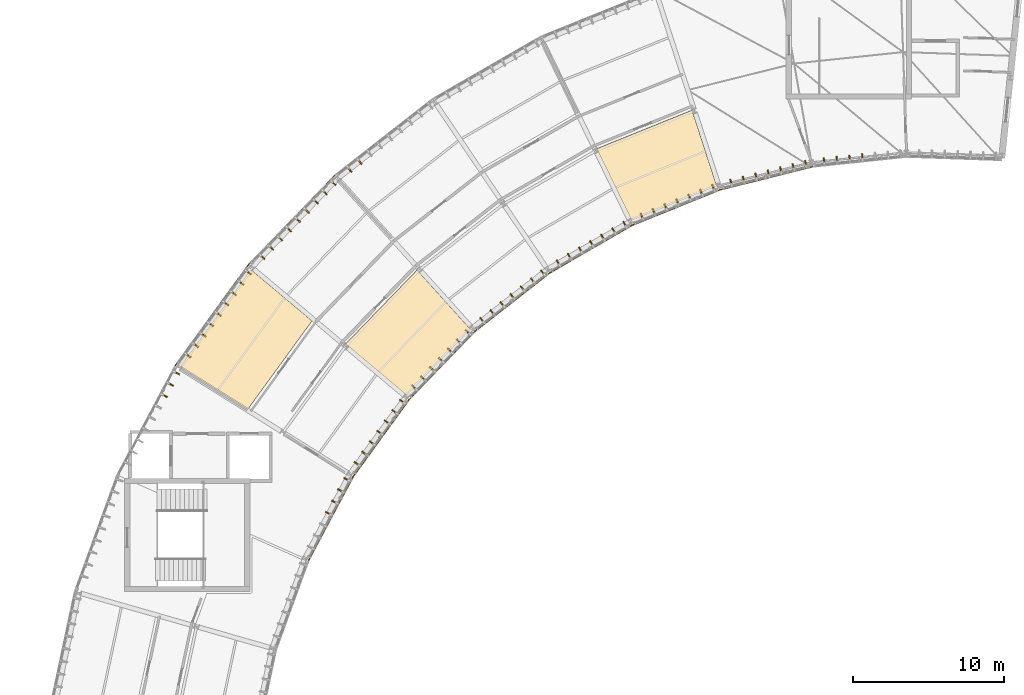
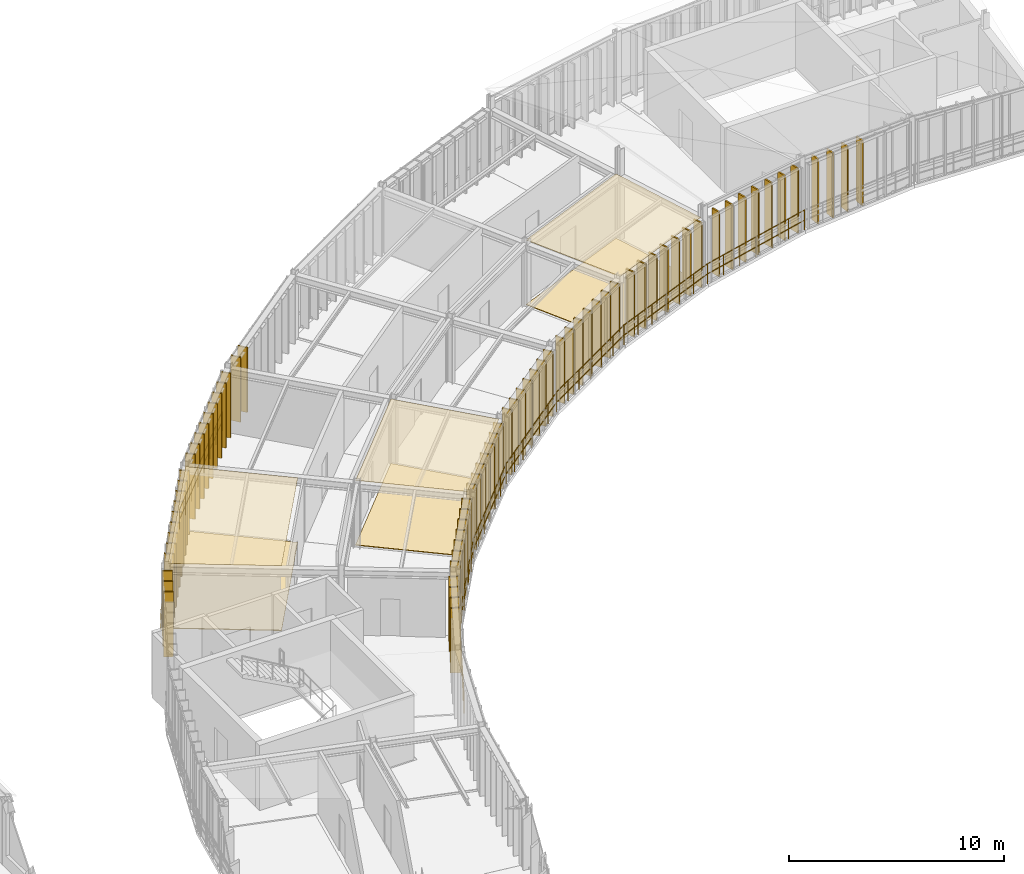
# One storey, part 39 of 42: 79 coverings, 9 railings.
"""IFC4 building model written with IfcOpenShell, lengths in metres."""

from ifc_helpers import new_model, si_unit, direction, frame, origin, origin_2d, place, context, subcontext, project, spatial, polyline, rectangle, circle, outline, extrude, material, layer, layer_set, type_object, element, save


model = new_model("IFC4")

# Units and contexts
model_context = context("Model", 3, precision=1e-05, world=origin(), true_north=direction((0.0, 1.0)))
body_context = subcontext(model_context, "Body", "Model", "MODEL_VIEW")
ifc_project = project(units=[si_unit("LENGTHUNIT", "METRE"), si_unit("AREAUNIT", "SQUARE_METRE"), si_unit("VOLUMEUNIT", "CUBIC_METRE"), si_unit("PLANEANGLEUNIT", "RADIAN"), si_unit("MASSUNIT", "GRAM", prefix="KILO"), si_unit("THERMODYNAMICTEMPERATUREUNIT", "KELVIN"), si_unit("POWERUNIT", "WATT")], contexts=[model_context])

# Site, building, storey
site_placement = place(None, origin())
site = spatial("IfcSite", under=ifc_project, at=site_placement, CompositionType="ELEMENT")
building_placement = place(site_placement, origin())
building = spatial("IfcBuilding", under=site, at=building_placement, Name="Solvatero Civic Police Headquarters", CompositionType="ELEMENT")
storey_placement = place(building_placement, frame((0.0, 0.0, 21.60009765625)))
storey = spatial("IfcBuildingStorey", under=building, at=storey_placement, Name="L05", CompositionType="ELEMENT", Elevation=21.60009765625)

# Coverings
ifc_material_1 = material(Name="Mineral-Fibre Acoustic Tile", Category="gypsum")
ifc_layer_1 = layer(ifc_material_1, 0.02490234375)
ifc_layer_set_1 = layer_set([ifc_layer_1], Name="Mineral-Fibre Acoustic Tile")
covering_type_1 = type_object("IfcCoveringType", Name="COV-CEIL-AC", PredefinedType="CEILING", material=ifc_layer_set_1)
covering_1_placement = place(storey_placement, frame((0.0, 0.0, 3.6748046875)))
element("IfcCovering", 1, at=covering_1_placement, inside=storey, type_object=covering_type_1, Name="Acoustic Ceiling Internal Affairs Inspectorate Suite Bay 4", PredefinedType="CEILING", context=body_context, shape_type="SweptSolid", body=[
    extrude(outline(polyline([(74.222412109375, 66.823486328125), (71.90380859375, 71.577880859375), (78.215087890625, 74.127685546875), (79.849609375, 69.09716796875), (74.222412109375, 66.823486328125)])), origin(), (0.0, 0.0, 1.0), 0.025146484375),
])
covering_2_placement = place(storey_placement, frame((0.0, 0.0, 3.6748046875)))
element("IfcCovering", 2, at=covering_2_placement, inside=storey, type_object=covering_type_1, Name="Acoustic Ceiling Internal Affairs Inspectorate Suite Bay 7", PredefinedType="CEILING", context=body_context, shape_type="SweptSolid", body=[
    extrude(outline(polyline([(59.327880859375, 55.25), (55.27587890625, 58.64990234375), (60.00439453125, 63.54638671875), (63.543701171875, 59.61572265625), (59.327880859375, 55.25)])), origin(), (0.0, 0.0, 1.0), 0.025146484375),
])
covering_3_placement = place(storey_placement, frame((0.0, 0.0, 3.6748046875)))
element("IfcCovering", 3, at=covering_3_placement, inside=storey, type_object=covering_type_1, Name="Acoustic Ceiling Personnel Vetting and Training Admin Bay 8", PredefinedType="CEILING", context=body_context, shape_type="SweptSolid", body=[
    extrude(outline(polyline([(48.835693359375, 54.36328125), (44.349853515625, 57.16650390625), (49.004638671875, 63.572998046875), (53.056396484375, 60.173095703125), (48.835693359375, 54.36328125)])), origin(), (0.0, 0.0, 1.0), 0.025146484375),
])
ifc_material_2 = material(Name="Anodized Bronze Aluminium", Category="aluminium")
ifc_layer_2 = layer(ifc_material_2, 0.080078125)
ifc_layer_set_2 = layer_set([ifc_layer_2], Name="Anodized Bronze Aluminium")
covering_type_2 = type_object("IfcCoveringType", Name="COV-FIN-480", PredefinedType="CLADDING", material=ifc_layer_set_2)
for number, where, z_axis, x_axis, name in (
    (4, (89.49560546875, 70.99560546875, -0.02001953125), (0.0, 0.0, 1.0), (-0.994521895368, -0.104528463268, 0.0), "Vertical Brise-Soleil Fin 1026"),
    (5, (88.650146484375, 70.90673828125, -0.02001953125), (0.0, 0.0, 1.0), (-0.994521895368, -0.104528463268, 0.0), "Vertical Brise-Soleil Fin 1027"),
    (6, (87.8046875, 70.818115234375, -0.02001953125), (0.0, 0.0, 1.0), (-0.994521895368, -0.104528463268, 0.0), "Vertical Brise-Soleil Fin 1028"),
    (7, (86.95947265625, 70.72900390625, -0.02001953125), (0.0, 0.0, 1.0), (-0.994521895368, -0.104528463268, 0.0), "Vertical Brise-Soleil Fin 1029"),
    (8, (85.75146484375, 70.5478515625, -0.02001953125), (0.0, 0.0, 1.0), (-0.970299948462, -0.241904960708, 0.0), "Vertical Brise-Soleil Fin 1039"),
    (9, (84.9267578125, 70.34228515625, -0.02001953125), (0.0, 0.0, 1.0), (-0.970299948462, -0.241904960708, 0.0), "Vertical Brise-Soleil Fin 1040"),
    (10, (84.101806640625, 70.136474609375, -0.02001953125), (0.0, 0.0, 1.0), (-0.970299948462, -0.241904960708, 0.0), "Vertical Brise-Soleil Fin 1041"),
    (11, (83.277099609375, 69.930908203125, -0.02001953125), (0.0, 0.0, 1.0), (-0.970299948462, -0.241904960708, 0.0), "Vertical Brise-Soleil Fin 1042"),
    (12, (82.452392578125, 69.725341796875, -0.02001953125), (0.0, 0.0, 1.0), (-0.970299948462, -0.241904960708, 0.0), "Vertical Brise-Soleil Fin 1043"),
    (13, (81.627685546875, 69.51953125, -0.02001953125), (0.0, 0.0, 1.0), (-0.970299948462, -0.241904960708, 0.0), "Vertical Brise-Soleil Fin 1044"),
    (14, (80.802978515625, 69.31396484375, -0.02001953125), (0.0, 0.0, 1.0), (-0.970299948462, -0.241904960708, 0.0), "Vertical Brise-Soleil Fin 1045"),
    (15, (79.6318359375, 68.96630859375, -0.02001953125), (0.0, 0.0, 1.0), (-0.927183854567, -0.374606593416, 0.0), "Vertical Brise-Soleil Fin 1055"),
    (16, (78.84375, 68.64794921875, -0.02001953125), (0.0, 0.0, 1.0), (-0.927183854567, -0.374606593416, 0.0), "Vertical Brise-Soleil Fin 1056"),
    (17, (78.0556640625, 68.32958984375, -0.02001953125), (0.0, 0.0, 1.0), (-0.927183854567, -0.374606593416, 0.0), "Vertical Brise-Soleil Fin 1057"),
    (18, (77.267578125, 68.010986328125, -0.02001953125), (0.0, 0.0, 1.0), (-0.927183854567, -0.374606593416, 0.0), "Vertical Brise-Soleil Fin 1058"),
    (19, (76.4794921875, 67.692626953125, -0.02001953125), (0.0, 0.0, 1.0), (-0.927183854567, -0.374606593416, 0.0), "Vertical Brise-Soleil Fin 1059"),
    (20, (75.69140625, 67.374267578125, -0.02001953125), (0.0, 0.0, 1.0), (-0.927183854567, -0.374606593416, 0.0), "Vertical Brise-Soleil Fin 1060"),
    (21, (74.9033203125, 67.055908203125, -0.02001953125), (0.0, 0.0, 1.0), (-0.927183854567, -0.374606593416, 0.0), "Vertical Brise-Soleil Fin 1061"),
    (22, (73.783203125, 66.543701171875, -0.02001953125), (0.0, 0.0, 1.0), (-0.866025403784, -0.5, 0.0), "Vertical Brise-Soleil Fin 1071"),
    (23, (73.047119140625, 66.11865234375, -0.02001953125), (0.0, 0.0, 1.0), (-0.866025403784, -0.5, 0.0), "Vertical Brise-Soleil Fin 1072"),
    (24, (72.310791015625, 65.693603515625, -0.02001953125), (0.0, 0.0, 1.0), (-0.866025403784, -0.5, 0.0), "Vertical Brise-Soleil Fin 1073"),
    (25, (71.57470703125, 65.2685546875, -0.02001953125), (0.0, 0.0, 1.0), (-0.866025403784, -0.5, 0.0), "Vertical Brise-Soleil Fin 1074"),
    (26, (70.838623046875, 64.843505859375, -0.02001953125), (0.0, 0.0, 1.0), (-0.866025403784, -0.5, 0.0), "Vertical Brise-Soleil Fin 1075"),
    (27, (70.1025390625, 64.418701171875, -0.02001953125), (0.0, 0.0, 1.0), (-0.866025403784, -0.5, 0.0), "Vertical Brise-Soleil Fin 1076"),
    (28, (69.366455078125, 63.99365234375, -0.02001953125), (0.0, 0.0, 1.0), (-0.866025403784, -0.5, 0.0), "Vertical Brise-Soleil Fin 1077"),
    (29, (56.1953125, 70.735107421875, -0.02001953125), (0.0, 0.0, 1.0), (-0.788010753607, -0.615661475326, 0.0), "Vertical Brise-Soleil Fin 1085"),
    (30, (55.525634765625, 70.2119140625, -0.02001953125), (0.0, 0.0, 1.0), (-0.788010753607, -0.615661475326, 0.0), "Vertical Brise-Soleil Fin 1086"),
    (31, (68.34521484375, 63.34130859375, -0.02001953125), (0.0, 0.0, 1.0), (-0.788010753607, -0.615661475326, 0.0), "Vertical Brise-Soleil Fin 1087"),
    (32, (67.675537109375, 62.818115234375, -0.02001953125), (0.0, 0.0, 1.0), (-0.788010753607, -0.615661475326, 0.0), "Vertical Brise-Soleil Fin 1088"),
    (33, (67.005615234375, 62.294921875, -0.02001953125), (0.0, 0.0, 1.0), (-0.788010753607, -0.615661475326, 0.0), "Vertical Brise-Soleil Fin 1089"),
    (34, (66.3359375, 61.771484375, -0.02001953125), (0.0, 0.0, 1.0), (-0.788010753607, -0.615661475326, 0.0), "Vertical Brise-Soleil Fin 1090"),
    (35, (65.666015625, 61.248291015625, -0.02001953125), (0.0, 0.0, 1.0), (-0.788010753607, -0.615661475326, 0.0), "Vertical Brise-Soleil Fin 1091"),
    (36, (64.996337890625, 60.724853515625, -0.02001953125), (0.0, 0.0, 1.0), (-0.788010753607, -0.615661475326, 0.0), "Vertical Brise-Soleil Fin 1092"),
    (37, (64.326416015625, 60.20166015625, -0.02001953125), (0.0, 0.0, 1.0), (-0.788010753607, -0.615661475326, 0.0), "Vertical Brise-Soleil Fin 1093"),
    (38, (54.463623046875, 69.311279296875, -0.02001953125), (0.0, 0.0, 1.0), (-0.694658370459, -0.719339800339, 0.0), "Vertical Brise-Soleil Fin 1094"),
    (39, (53.873291015625, 68.69970703125, -0.02001953125), (0.0, 0.0, 1.0), (-0.694658370459, -0.719339800339, 0.0), "Vertical Brise-Soleil Fin 1095"),
    (40, (53.28271484375, 68.08837890625, -0.02001953125), (0.0, 0.0, 1.0), (-0.694658370459, -0.719339800339, 0.0), "Vertical Brise-Soleil Fin 1096"),
    (41, (52.6923828125, 67.476806640625, -0.02001953125), (0.0, 0.0, 1.0), (-0.694658370459, -0.719339800339, 0.0), "Vertical Brise-Soleil Fin 1097"),
    (42, (52.101806640625, 66.865478515625, -0.02001953125), (0.0, 0.0, 1.0), (-0.694658370459, -0.719339800339, 0.0), "Vertical Brise-Soleil Fin 1098"),
    (43, (51.51123046875, 66.25390625, -0.02001953125), (0.0, 0.0, 1.0), (-0.694658370459, -0.719339800339, 0.0), "Vertical Brise-Soleil Fin 1099"),
    (44, (50.9208984375, 65.642578125, -0.02001953125), (0.0, 0.0, 1.0), (-0.694658370459, -0.719339800339, 0.0), "Vertical Brise-Soleil Fin 1100"),
    (45, (50.330322265625, 65.031005859375, -0.02001953125), (0.0, 0.0, 1.0), (-0.694658370459, -0.719339800339, 0.0), "Vertical Brise-Soleil Fin 1101"),
    (46, (49.739990234375, 64.419677734375, -0.02001953125), (0.0, 0.0, 1.0), (-0.694658370459, -0.719339800339, 0.0), "Vertical Brise-Soleil Fin 1102"),
    (47, (63.39111328125, 59.400390625, -0.02001953125), (0.0, 0.0, 1.0), (-0.694658370459, -0.719339800339, 0.0), "Vertical Brise-Soleil Fin 1103"),
    (48, (62.800537109375, 58.788818359375, -0.02001953125), (0.0, 0.0, 1.0), (-0.694658370459, -0.719339800339, 0.0), "Vertical Brise-Soleil Fin 1104"),
    (49, (62.210205078125, 58.177490234375, -0.02001953125), (0.0, 0.0, 1.0), (-0.694658370459, -0.719339800339, 0.0), "Vertical Brise-Soleil Fin 1105"),
    (50, (61.61962890625, 57.56591796875, -0.02001953125), (0.0, 0.0, 1.0), (-0.694658370459, -0.719339800339, 0.0), "Vertical Brise-Soleil Fin 1106"),
    (51, (61.029296875, 56.95458984375, -0.02001953125), (0.0, 0.0, 1.0), (-0.694658370459, -0.719339800339, 0.0), "Vertical Brise-Soleil Fin 1107"),
    (52, (60.438720703125, 56.343017578125, -0.02001953125), (0.0, 0.0, 1.0), (-0.694658370459, -0.719339800339, 0.0), "Vertical Brise-Soleil Fin 1108"),
    (53, (59.848388671875, 55.731689453125, -0.02001953125), (0.0, 0.0, 1.0), (-0.694658370459, -0.719339800339, 0.0), "Vertical Brise-Soleil Fin 1109"),
    (54, (48.826416015625, 63.3955078125, -0.02001953125), (0.0, 0.0, 1.0), (-0.587785252292, -0.809016994375, 0.0), "Vertical Brise-Soleil Fin 1110"),
    (55, (48.326904296875, 62.707763671875, -0.02001953125), (0.0, 0.0, 1.0), (-0.587785252292, -0.809016994375, 0.0), "Vertical Brise-Soleil Fin 1111"),
    (56, (47.827392578125, 62.02001953125, -0.02001953125), (0.0, 0.0, 1.0), (-0.587785252292, -0.809016994375, 0.0), "Vertical Brise-Soleil Fin 1112"),
    (57, (47.32763671875, 61.33251953125, -0.02001953125), (0.0, 0.0, 1.0), (-0.587785252292, -0.809016994375, 0.0), "Vertical Brise-Soleil Fin 1113"),
    (58, (46.828125, 60.644775390625, -0.02001953125), (0.0, 0.0, 1.0), (-0.587785252292, -0.809016994375, 0.0), "Vertical Brise-Soleil Fin 1114"),
    (59, (46.328369140625, 59.95703125, -0.02001953125), (0.0, 0.0, 1.0), (-0.587785252292, -0.809016994375, 0.0), "Vertical Brise-Soleil Fin 1115"),
    (60, (45.828857421875, 59.269287109375, -0.02001953125), (0.0, 0.0, 1.0), (-0.587785252292, -0.809016994375, 0.0), "Vertical Brise-Soleil Fin 1116"),
    (61, (45.3291015625, 58.581787109375, -0.02001953125), (0.0, 0.0, 1.0), (-0.587785252292, -0.809016994375, 0.0), "Vertical Brise-Soleil Fin 1117"),
    (62, (44.82958984375, 57.89404296875, -0.02001953125), (0.0, 0.0, 1.0), (-0.587785252292, -0.809016994375, 0.0), "Vertical Brise-Soleil Fin 1118"),
    (63, (59.04638671875, 54.823486328125, -0.02001953125), (0.0, 0.0, 1.0), (-0.587785252292, -0.809016994375, 0.0), "Vertical Brise-Soleil Fin 1119"),
    (64, (58.546630859375, 54.1357421875, -0.02001953125), (0.0, 0.0, 1.0), (-0.587785252292, -0.809016994375, 0.0), "Vertical Brise-Soleil Fin 1120"),
    (65, (58.047119140625, 53.447998046875, -0.02001953125), (0.0, 0.0, 1.0), (-0.587785252292, -0.809016994375, 0.0), "Vertical Brise-Soleil Fin 1121"),
    (66, (57.547607421875, 52.760498046875, -0.02001953125), (0.0, 0.0, 1.0), (-0.587785252292, -0.809016994375, 0.0), "Vertical Brise-Soleil Fin 1122"),
    (67, (57.0478515625, 52.07275390625, -0.02001953125), (0.0, 0.0, 1.0), (-0.587785252292, -0.809016994375, 0.0), "Vertical Brise-Soleil Fin 1123"),
    (68, (56.54833984375, 51.385009765625, -0.02001953125), (0.0, 0.0, 1.0), (-0.587785252292, -0.809016994375, 0.0), "Vertical Brise-Soleil Fin 1124"),
    (69, (56.048583984375, 50.697509765625, -0.02001953125), (0.0, 0.0, 1.0), (-0.587785252292, -0.809016994375, 0.0), "Vertical Brise-Soleil Fin 1125"),
    (70, (44.056884765625, 56.73583984375, -0.02001953125), (0.0, 0.0, 1.0), (-0.469471562786, -0.882947592859, 0.0), "Vertical Brise-Soleil Fin 1126"),
    (71, (43.657958984375, 55.9853515625, -0.02001953125), (0.0, 0.0, 1.0), (-0.469471562786, -0.882947592859, 0.0), "Vertical Brise-Soleil Fin 1127"),
    (72, (43.2587890625, 55.23486328125, -0.02001953125), (0.0, 0.0, 1.0), (-0.469471562786, -0.882947592859, 0.0), "Vertical Brise-Soleil Fin 1128"),
    (73, (55.370361328125, 49.66943359375, -0.02001953125), (0.0, 0.0, 1.0), (-0.469486973057, -0.8829393989, 0.0), "Vertical Brise-Soleil Fin 1135"),
    (74, (54.97119140625, 48.9189453125, -0.02001953125), (0.0, 0.0, 1.0), (-0.469486973057, -0.8829393989, 0.0), "Vertical Brise-Soleil Fin 1136"),
    (75, (54.572265625, 48.16845703125, -0.02001953125), (0.0, 0.0, 1.0), (-0.469486973057, -0.8829393989, 0.0), "Vertical Brise-Soleil Fin 1137"),
    (76, (54.173095703125, 47.41796875, -0.02001953125), (0.0, 0.0, 1.0), (-0.469486973057, -0.8829393989, 0.0), "Vertical Brise-Soleil Fin 1138"),
):
    element("IfcCovering", number, at=place(storey_placement, frame(where, z_axis=z_axis, x_axis=x_axis)), inside=storey, type_object=covering_type_2, Name=name, PredefinedType="CLADDING", context=body_context, shape_type="SweptSolid", body=[
        extrude(rectangle(XDim=0.080078125, YDim=0.47998046875, at=origin_2d()), origin(), (0.0, 0.0, 1.0), 3.679931640625),
    ])
ifc_material_3 = material(Name="Venetian Terrazzo Stone", Category="masonry")
ifc_layer_3 = layer(ifc_material_3, 0.034912109375)
ifc_layer_set_3 = layer_set([ifc_layer_3], Name="Venetian Terrazzo Stone")
covering_type_3 = type_object("IfcCoveringType", Name="COV-FLR-TER", PredefinedType="FLOORING", material=ifc_layer_set_3)
covering_4_placement = place(storey_placement, origin())
element("IfcCovering", 77, at=covering_4_placement, inside=storey, type_object=covering_type_3, Name="Flooring Internal Affairs Inspectorate Suite Bay 4", PredefinedType="FLOORING", context=body_context, shape_type="SweptSolid", body=[
    extrude(outline(polyline([(74.222412109375, 66.823486328125), (71.90380859375, 71.577880859375), (78.215087890625, 74.127685546875), (79.849609375, 69.09716796875), (74.222412109375, 66.823486328125)])), origin(), (0.0, 0.0, 1.0), 0.034912109375),
])
covering_5_placement = place(storey_placement, origin())
element("IfcCovering", 78, at=covering_5_placement, inside=storey, type_object=covering_type_3, Name="Flooring Internal Affairs Inspectorate Suite Bay 7", PredefinedType="FLOORING", context=body_context, shape_type="SweptSolid", body=[
    extrude(outline(polyline([(59.327880859375, 55.25), (55.27587890625, 58.64990234375), (60.00439453125, 63.54638671875), (63.543701171875, 59.61572265625), (59.327880859375, 55.25)])), origin(), (0.0, 0.0, 1.0), 0.034912109375),
])
covering_6_placement = place(storey_placement, origin())
element("IfcCovering", 79, at=covering_6_placement, inside=storey, type_object=covering_type_3, Name="Flooring Personnel Vetting and Training Admin Bay 8", PredefinedType="FLOORING", context=body_context, shape_type="SweptSolid", body=[
    extrude(outline(polyline([(48.835693359375, 54.36328125), (44.349853515625, 57.16650390625), (49.004638671875, 63.572998046875), (53.056396484375, 60.173095703125), (48.835693359375, 54.36328125)])), origin(), (0.0, 0.0, 1.0), 0.034912109375),
])

# Railings
ifc_material_4 = material(Name="Anodized Bronze and Laminated Glass", Category="glass")
railing_type = type_object("IfcRailingType", Name="RL-BAL-115", PredefinedType="BALUSTRADE", material=ifc_material_4)
railing_1_placement = place(storey_placement, frame((86.17529296875, 70.37548828125, 0.0)))
element("IfcRailing", 80, at=railing_1_placement, inside=storey, type_object=railing_type, Name="Glazed Facade Sill Balustrade RL-L05-ARCIN-B03", PredefinedType="BALUSTRADE", context=body_context, shape_type="SweptSolid", body=[
    extrude(circle(Radius=0.02392578125, at=origin_2d()), frame((0.0, 0.0, 1.1259765625), z_axis=(-0.970288531479, -0.241950750525, 0.0), x_axis=(0.241950750525, -0.970288531479, 0.0)), (0.0, 0.0, 1.0), 6.286376953125),
    extrude(circle(Radius=0.02392578125, at=origin_2d()), frame((0.0, 0.0, 0.55078125), z_axis=(-0.970288531479, -0.241950750525, 0.0), x_axis=(0.241950750525, -0.970288531479, 0.0)), (0.0, 0.0, 1.0), 6.286376953125),
    extrude(circle(Radius=0.02099609375, at=origin_2d()), origin(), (0.0, 0.0, 1.0), 1.101806640625),
    extrude(circle(Radius=0.02099609375, at=origin_2d()), frame((-1.0166015625, -0.25341796875, 0.0)), (0.0, 0.0, 1.0), 1.101806640625),
    extrude(circle(Radius=0.02099609375, at=origin_2d()), frame((-2.033203125, -0.507080078125, 0.0)), (0.0, 0.0, 1.0), 1.101806640625),
    extrude(circle(Radius=0.02099609375, at=origin_2d()), frame((-3.0498046875, -0.760498046875, 0.0)), (0.0, 0.0, 1.0), 1.101806640625),
    extrude(circle(Radius=0.02099609375, at=origin_2d()), frame((-4.06640625, -1.013916015625, 0.0)), (0.0, 0.0, 1.0), 1.101806640625),
    extrude(circle(Radius=0.02099609375, at=origin_2d()), frame((-5.0830078125, -1.267578125, 0.0)), (0.0, 0.0, 1.0), 1.101806640625),
    extrude(circle(Radius=0.02099609375, at=origin_2d()), frame((-6.099609375, -1.52099609375, 0.0)), (0.0, 0.0, 1.0), 1.101806640625),
])
railing_2_placement = place(storey_placement, frame((80.07568359375, 68.8544921875, 0.0)))
element("IfcRailing", 81, at=railing_2_placement, inside=storey, type_object=railing_type, Name="Glazed Facade Sill Balustrade RL-L05-ARCIN-B04", PredefinedType="BALUSTRADE", context=body_context, shape_type="SweptSolid", body=[
    extrude(circle(Radius=0.02392578125, at=origin_2d()), frame((0.0, 0.0, 1.1259765625), z_axis=(-0.927193595022, -0.374582484041, 0.0), x_axis=(0.374582484041, -0.927193595022, 0.0)), (0.0, 0.0, 1.0), 6.286376953125),
    extrude(circle(Radius=0.02392578125, at=origin_2d()), frame((0.0, 0.0, 0.55078125), z_axis=(-0.927193595022, -0.374582484041, 0.0), x_axis=(0.374582484041, -0.927193595022, 0.0)), (0.0, 0.0, 1.0), 6.286376953125),
    extrude(circle(Radius=0.02099609375, at=origin_2d()), origin(), (0.0, 0.0, 1.0), 1.101806640625),
    extrude(circle(Radius=0.02099609375, at=origin_2d()), frame((-0.971435546875, -0.392578125, 0.0)), (0.0, 0.0, 1.0), 1.101806640625),
    extrude(circle(Radius=0.02099609375, at=origin_2d()), frame((-1.94287109375, -0.784912109375, 0.0)), (0.0, 0.0, 1.0), 1.101806640625),
    extrude(circle(Radius=0.02099609375, at=origin_2d()), frame((-2.914306640625, -1.17724609375, 0.0)), (0.0, 0.0, 1.0), 1.101806640625),
    extrude(circle(Radius=0.02099609375, at=origin_2d()), frame((-3.8857421875, -1.56982421875, 0.0)), (0.0, 0.0, 1.0), 1.101806640625),
    extrude(circle(Radius=0.02099609375, at=origin_2d()), frame((-4.857177734375, -1.96240234375, 0.0)), (0.0, 0.0, 1.0), 1.101806640625),
    extrude(circle(Radius=0.02099609375, at=origin_2d()), frame((-5.82861328125, -2.354736328125, 0.0)), (0.0, 0.0, 1.0), 1.101806640625),
])
railing_3_placement = place(storey_placement, frame((74.2470703125, 66.499755859375, 0.0)))
element("IfcRailing", 82, at=railing_3_placement, inside=storey, type_object=railing_type, Name="Glazed Facade Sill Balustrade RL-L05-ARCIN-B05", PredefinedType="BALUSTRADE", context=body_context, shape_type="SweptSolid", body=[
    extrude(circle(Radius=0.02392578125, at=origin_2d()), frame((0.0, 0.0, 1.1259765625), z_axis=(-0.866023907196, -0.500002592159, 0.0), x_axis=(0.500002592159, -0.866023907196, 0.0)), (0.0, 0.0, 1.0), 6.28662109375),
    extrude(circle(Radius=0.02392578125, at=origin_2d()), frame((0.0, 0.0, 0.55078125), z_axis=(-0.866023907196, -0.500002592159, 0.0), x_axis=(0.500002592159, -0.866023907196, 0.0)), (0.0, 0.0, 1.0), 6.28662109375),
    extrude(circle(Radius=0.02099609375, at=origin_2d()), origin(), (0.0, 0.0, 1.0), 1.101806640625),
    extrude(circle(Radius=0.02099609375, at=origin_2d()), frame((-0.907470703125, -0.52392578125, 0.0)), (0.0, 0.0, 1.0), 1.101806640625),
    extrude(circle(Radius=0.02099609375, at=origin_2d()), frame((-1.814697265625, -1.0478515625, 0.0)), (0.0, 0.0, 1.0), 1.101806640625),
    extrude(circle(Radius=0.02099609375, at=origin_2d()), frame((-2.72216796875, -1.57177734375, 0.0)), (0.0, 0.0, 1.0), 1.101806640625),
    extrude(circle(Radius=0.02099609375, at=origin_2d()), frame((-3.629638671875, -2.095458984375, 0.0)), (0.0, 0.0, 1.0), 1.101806640625),
    extrude(circle(Radius=0.02099609375, at=origin_2d()), frame((-4.536865234375, -2.619384765625, 0.0)), (0.0, 0.0, 1.0), 1.101806640625),
    extrude(circle(Radius=0.02099609375, at=origin_2d()), frame((-5.4443359375, -3.143310546875, 0.0)), (0.0, 0.0, 1.0), 1.101806640625),
])
railing_4_placement = place(storey_placement, frame((68.802734375, 63.3564453125, 0.0)))
element("IfcRailing", 83, at=railing_4_placement, inside=storey, type_object=railing_type, Name="Glazed Facade Sill Balustrade RL-L05-ARCIN-B06", PredefinedType="BALUSTRADE", context=body_context, shape_type="SweptSolid", body=[
    extrude(circle(Radius=0.02392578125, at=origin_2d()), frame((0.0, 0.0, 1.1259765625), z_axis=(-0.787997288522, -0.61567870946, 0.0), x_axis=(0.61567870946, -0.787997288522, 0.0)), (0.0, 0.0, 1.0), 6.286376953125),
    extrude(circle(Radius=0.02392578125, at=origin_2d()), frame((0.0, 0.0, 0.55078125), z_axis=(-0.787997288522, -0.61567870946, 0.0), x_axis=(0.61567870946, -0.787997288522, 0.0)), (0.0, 0.0, 1.0), 6.286376953125),
    extrude(circle(Radius=0.02099609375, at=origin_2d()), origin(), (0.0, 0.0, 1.0), 1.101806640625),
    extrude(circle(Radius=0.02099609375, at=origin_2d()), frame((-0.82568359375, -0.64501953125, 0.0)), (0.0, 0.0, 1.0), 1.101806640625),
    extrude(circle(Radius=0.02099609375, at=origin_2d()), frame((-1.651123046875, -1.2900390625, 0.0)), (0.0, 0.0, 1.0), 1.101806640625),
    extrude(circle(Radius=0.02099609375, at=origin_2d()), frame((-2.476806640625, -1.93505859375, 0.0)), (0.0, 0.0, 1.0), 1.101806640625),
    extrude(circle(Radius=0.02099609375, at=origin_2d()), frame((-3.302490234375, -2.580322265625, 0.0)), (0.0, 0.0, 1.0), 1.101806640625),
    extrude(circle(Radius=0.02099609375, at=origin_2d()), frame((-4.1279296875, -3.225341796875, 0.0)), (0.0, 0.0, 1.0), 1.101806640625),
    extrude(circle(Radius=0.02099609375, at=origin_2d()), frame((-4.95361328125, -3.870361328125, 0.0)), (0.0, 0.0, 1.0), 1.101806640625),
])
railing_5_placement = place(storey_placement, frame((63.84912109375, 59.486083984375, 0.0)))
element("IfcRailing", 84, at=railing_5_placement, inside=storey, type_object=railing_type, Name="Glazed Facade Sill Balustrade RL-L05-ARCIN-B07", PredefinedType="BALUSTRADE", context=body_context, shape_type="SweptSolid", body=[
    extrude(circle(Radius=0.02392578125, at=origin_2d()), frame((0.0, 0.0, 1.1259765625), z_axis=(-0.694688764394, -0.719310448016, 0.0), x_axis=(0.719310448016, -0.694688764394, 0.0)), (0.0, 0.0, 1.0), 6.28662109375),
    extrude(circle(Radius=0.02392578125, at=origin_2d()), frame((0.0, 0.0, 0.55078125), z_axis=(-0.694688764394, -0.719310448016, 0.0), x_axis=(0.719310448016, -0.694688764394, 0.0)), (0.0, 0.0, 1.0), 6.28662109375),
    extrude(circle(Radius=0.02099609375, at=origin_2d()), origin(), (0.0, 0.0, 1.0), 1.101806640625),
    extrude(circle(Radius=0.02099609375, at=origin_2d()), frame((-0.727783203125, -0.753662109375, 0.0)), (0.0, 0.0, 1.0), 1.101806640625),
    extrude(circle(Radius=0.02099609375, at=origin_2d()), frame((-1.455810546875, -1.50732421875, 0.0)), (0.0, 0.0, 1.0), 1.101806640625),
    extrude(circle(Radius=0.02099609375, at=origin_2d()), frame((-2.18359375, -2.260986328125, 0.0)), (0.0, 0.0, 1.0), 1.101806640625),
    extrude(circle(Radius=0.02099609375, at=origin_2d()), frame((-2.911376953125, -3.0146484375, 0.0)), (0.0, 0.0, 1.0), 1.101806640625),
    extrude(circle(Radius=0.02099609375, at=origin_2d()), frame((-3.639404296875, -3.768310546875, 0.0)), (0.0, 0.0, 1.0), 1.101806640625),
    extrude(circle(Radius=0.02099609375, at=origin_2d()), frame((-4.3671875, -4.52197265625, 0.0)), (0.0, 0.0, 1.0), 1.101806640625),
])
railing_6_placement = place(storey_placement, frame((54.561279296875, 69.801025390625, 0.0)))
element("IfcRailing", 85, at=railing_6_placement, inside=storey, type_object=railing_type, Name="Glazed Facade Sill Balustrade RL-L05-ARCOUT-B07", PredefinedType="BALUSTRADE", context=body_context, shape_type="SweptSolid", body=[
    extrude(circle(Radius=0.02392578125, at=origin_2d()), frame((0.0, 0.0, 1.1259765625), z_axis=(-0.694647498592, -0.71935029902, 0.0), x_axis=(0.71935029902, -0.694647498592, 0.0)), (0.0, 0.0, 1.0), 8.22265625),
    extrude(circle(Radius=0.02392578125, at=origin_2d()), frame((0.0, 0.0, 0.55078125), z_axis=(-0.694647498592, -0.71935029902, 0.0), x_axis=(0.71935029902, -0.694647498592, 0.0)), (0.0, 0.0, 1.0), 8.22265625),
    extrude(circle(Radius=0.02099609375, at=origin_2d()), origin(), (0.0, 0.0, 1.0), 1.101806640625),
    extrude(circle(Radius=0.02099609375, at=origin_2d()), frame((-0.81591796875, -0.844970703125, 0.0)), (0.0, 0.0, 1.0), 1.101806640625),
    extrude(circle(Radius=0.02099609375, at=origin_2d()), frame((-1.632080078125, -1.68994140625, 0.0)), (0.0, 0.0, 1.0), 1.101806640625),
    extrude(circle(Radius=0.02099609375, at=origin_2d()), frame((-2.447998046875, -2.534912109375, 0.0)), (0.0, 0.0, 1.0), 1.101806640625),
    extrude(circle(Radius=0.02099609375, at=origin_2d()), frame((-3.263916015625, -3.380126953125, 0.0)), (0.0, 0.0, 1.0), 1.101806640625),
    extrude(circle(Radius=0.02099609375, at=origin_2d()), frame((-4.079833984375, -4.22509765625, 0.0)), (0.0, 0.0, 1.0), 1.101806640625),
    extrude(circle(Radius=0.02099609375, at=origin_2d()), frame((-4.89599609375, -5.070068359375, 0.0)), (0.0, 0.0, 1.0), 1.101806640625),
    extrude(circle(Radius=0.02099609375, at=origin_2d()), frame((-5.7119140625, -5.9150390625, 0.0)), (0.0, 0.0, 1.0), 1.101806640625),
])
railing_7_placement = place(storey_placement, frame((59.48193359375, 54.964111328125, 0.0)))
element("IfcRailing", 86, at=railing_7_placement, inside=storey, type_object=railing_type, Name="Glazed Facade Sill Balustrade RL-L05-ARCIN-B08", PredefinedType="BALUSTRADE", context=body_context, shape_type="SweptSolid", body=[
    extrude(circle(Radius=0.02392578125, at=origin_2d()), frame((0.0, 0.0, 1.1259765625), z_axis=(-0.587751344524, -0.809041628725, 0.0), x_axis=(0.809041628725, -0.587751344524, 0.0)), (0.0, 0.0, 1.0), 6.286376953125),
    extrude(circle(Radius=0.02392578125, at=origin_2d()), frame((0.0, 0.0, 0.55078125), z_axis=(-0.587751344524, -0.809041628725, 0.0), x_axis=(0.809041628725, -0.587751344524, 0.0)), (0.0, 0.0, 1.0), 6.286376953125),
    extrude(circle(Radius=0.02099609375, at=origin_2d()), origin(), (0.0, 0.0, 1.0), 1.101806640625),
    extrude(circle(Radius=0.02099609375, at=origin_2d()), frame((-0.61572265625, -0.84765625, 0.0)), (0.0, 0.0, 1.0), 1.101806640625),
    extrude(circle(Radius=0.02099609375, at=origin_2d()), frame((-1.231689453125, -1.6953125, 0.0)), (0.0, 0.0, 1.0), 1.101806640625),
    extrude(circle(Radius=0.02099609375, at=origin_2d()), frame((-1.847412109375, -2.54296875, 0.0)), (0.0, 0.0, 1.0), 1.101806640625),
    extrude(circle(Radius=0.02099609375, at=origin_2d()), frame((-2.463134765625, -3.390625, 0.0)), (0.0, 0.0, 1.0), 1.101806640625),
    extrude(circle(Radius=0.02099609375, at=origin_2d()), frame((-3.0791015625, -4.23828125, 0.0)), (0.0, 0.0, 1.0), 1.101806640625),
    extrude(circle(Radius=0.02099609375, at=origin_2d()), frame((-3.69482421875, -5.0859375, 0.0)), (0.0, 0.0, 1.0), 1.101806640625),
])
railing_8_placement = place(storey_placement, frame((48.849365234375, 63.885986328125, 0.0)))
element("IfcRailing", 87, at=railing_8_placement, inside=storey, type_object=railing_type, Name="Glazed Facade Sill Balustrade RL-L05-ARCOUT-B08", PredefinedType="BALUSTRADE", context=body_context, shape_type="SweptSolid", body=[
    extrude(circle(Radius=0.02392578125, at=origin_2d()), frame((0.0, 0.0, 1.1259765625), z_axis=(-0.587774421673, -0.80902486317, 0.0), x_axis=(0.80902486317, -0.587774421673, 0.0)), (0.0, 0.0, 1.0), 8.222900390625),
    extrude(circle(Radius=0.02392578125, at=origin_2d()), frame((0.0, 0.0, 0.55078125), z_axis=(-0.587774421673, -0.80902486317, 0.0), x_axis=(0.80902486317, -0.587774421673, 0.0)), (0.0, 0.0, 1.0), 8.222900390625),
    extrude(circle(Radius=0.02099609375, at=origin_2d()), origin(), (0.0, 0.0, 1.0), 1.101806640625),
    extrude(circle(Radius=0.02099609375, at=origin_2d()), frame((-0.6904296875, -0.950439453125, 0.0)), (0.0, 0.0, 1.0), 1.101806640625),
    extrude(circle(Radius=0.02099609375, at=origin_2d()), frame((-1.380859375, -1.900634765625, 0.0)), (0.0, 0.0, 1.0), 1.101806640625),
    extrude(circle(Radius=0.02099609375, at=origin_2d()), frame((-2.0712890625, -2.85107421875, 0.0)), (0.0, 0.0, 1.0), 1.101806640625),
    extrude(circle(Radius=0.02099609375, at=origin_2d()), frame((-2.761962890625, -3.801513671875, 0.0)), (0.0, 0.0, 1.0), 1.101806640625),
    extrude(circle(Radius=0.02099609375, at=origin_2d()), frame((-3.452392578125, -4.751953125, 0.0)), (0.0, 0.0, 1.0), 1.101806640625),
    extrude(circle(Radius=0.02099609375, at=origin_2d()), frame((-4.142822265625, -5.7021484375, 0.0)), (0.0, 0.0, 1.0), 1.101806640625),
    extrude(circle(Radius=0.02099609375, at=origin_2d()), frame((-4.833251953125, -6.652587890625, 0.0)), (0.0, 0.0, 1.0), 1.101806640625),
])
railing_9_placement = place(storey_placement, frame((55.787109375, 49.878173828125, 0.0)))
element("IfcRailing", 88, at=railing_9_placement, inside=storey, type_object=railing_type, Name="Glazed Facade Sill Balustrade RL-L05-ARCIN-B09", PredefinedType="BALUSTRADE", context=body_context, shape_type="SweptSolid", body=[
    extrude(circle(Radius=0.02392578125, at=origin_2d()), frame((0.0, 0.0, 1.1259765625), z_axis=(-0.469489306855, -0.882938157941, 0.0), x_axis=(0.882938157941, -0.469489306855, 0.0)), (0.0, 0.0, 1.0), 6.286376953125),
    extrude(circle(Radius=0.02392578125, at=origin_2d()), frame((0.0, 0.0, 0.55078125), z_axis=(-0.469489306855, -0.882938157941, 0.0), x_axis=(0.882938157941, -0.469489306855, 0.0)), (0.0, 0.0, 1.0), 6.286376953125),
    extrude(circle(Radius=0.02099609375, at=origin_2d()), origin(), (0.0, 0.0, 1.0), 1.101806640625),
    extrude(circle(Radius=0.02099609375, at=origin_2d()), frame((-0.491943359375, -0.925048828125, 0.0)), (0.0, 0.0, 1.0), 1.101806640625),
    extrude(circle(Radius=0.02099609375, at=origin_2d()), frame((-0.98388671875, -1.85009765625, 0.0)), (0.0, 0.0, 1.0), 1.101806640625),
    extrude(circle(Radius=0.02099609375, at=origin_2d()), frame((-1.4755859375, -2.775390625, 0.0)), (0.0, 0.0, 1.0), 1.101806640625),
    extrude(circle(Radius=0.02099609375, at=origin_2d()), frame((-1.967529296875, -3.700439453125, 0.0)), (0.0, 0.0, 1.0), 1.101806640625),
    extrude(circle(Radius=0.02099609375, at=origin_2d()), frame((-2.45947265625, -4.62548828125, 0.0)), (0.0, 0.0, 1.0), 1.101806640625),
    extrude(circle(Radius=0.02099609375, at=origin_2d()), frame((-2.951416015625, -5.550537109375, 0.0)), (0.0, 0.0, 1.0), 1.101806640625),
])

save(model, "model.ifc")
